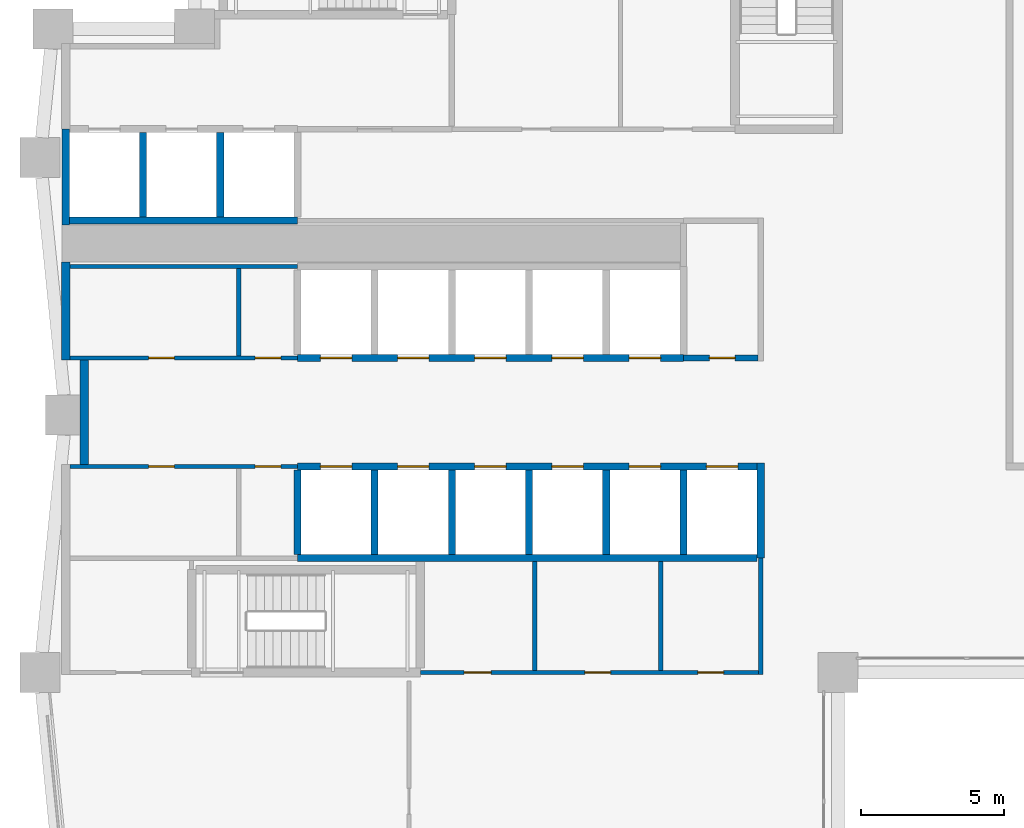
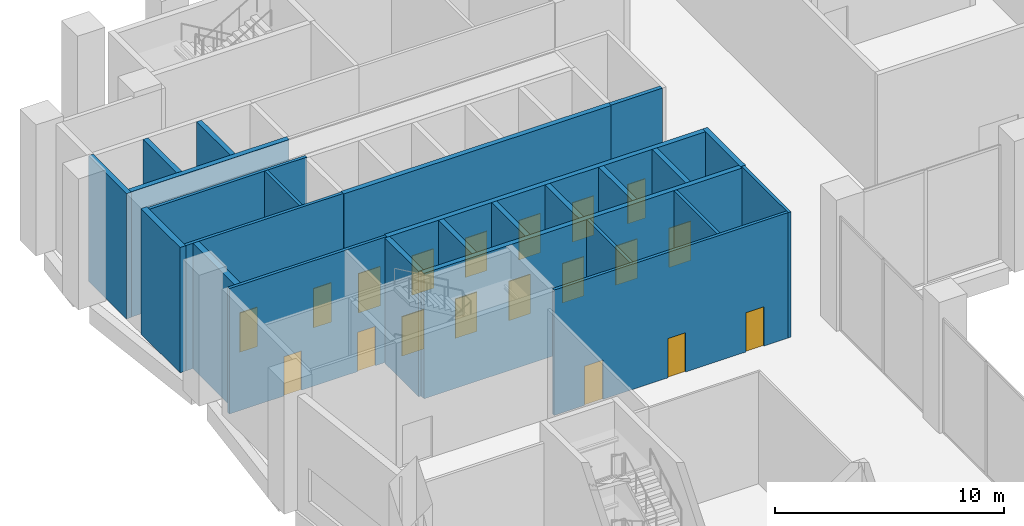
# One storey, part 11 of 18: 25 walls, 19 doors, 19 openings.
"""IFC4 building model written with IfcOpenShell, lengths in metres."""

from ifc_helpers import new_model, si_unit, direction, frame, frame_2d, origin, place, context, subcontext, project, spatial, rectangle, extrude, material, layer, layer_set, type_object, element, fill, save


model = new_model("IFC4")

# Units and contexts
model_context = context("Model", 3, precision=1e-05, world=origin(), true_north=direction((0.0, 1.0)))
body_context = subcontext(model_context, "Body", "Model", "MODEL_VIEW")
ifc_project = project(units=[si_unit("LENGTHUNIT", "METRE"), si_unit("AREAUNIT", "SQUARE_METRE"), si_unit("VOLUMEUNIT", "CUBIC_METRE"), si_unit("PLANEANGLEUNIT", "RADIAN"), si_unit("MASSUNIT", "GRAM", prefix="KILO")], contexts=[model_context])

# Site, building, storey
site_placement = place(None, origin())
site = spatial("IfcSite", under=ifc_project, at=site_placement, CompositionType="ELEMENT")
building_placement = place(site_placement, origin())
building = spatial("IfcBuilding", under=site, at=building_placement, Name="Brondeck Convention Tower", CompositionType="ELEMENT")
storey_placement = place(building_placement, frame((0.0, 0.0, 7.5)))
storey = spatial("IfcBuildingStorey", under=building, at=storey_placement, Name="L01", CompositionType="ELEMENT", Elevation=7.5)

# Wall, openings, doors
ifc_material_1 = material(Name="Concrete C80/95", Category="concrete")
ifc_layer_1 = layer(ifc_material_1, 0.14990234375)
ifc_layer_set_1 = layer_set([ifc_layer_1], Name="Core beam-seat wall 150 Concrete C80/95")
wall_type_1 = type_object("IfcWallType", Name="Core beam-seat wall 150 Concrete C80/95", PredefinedType="SHEAR", material=ifc_layer_set_1)
wall_1_placement = place(storey_placement, frame((12.39990234375, 36.0, 0.0), z_axis=(0.0, 0.0, 1.0), x_axis=(1.0, 0.0, 0.0)))
wall_1 = element("IfcWall", 1, at=wall_1_placement, inside=storey, type_object=wall_type_1, Name="L01 core wall", PredefinedType="SHEAR", context=body_context, shape_type="SweptSolid", body=[
    extrude(rectangle(XDim=11.8251953125, YDim=0.14990234375, at=frame_2d((5.91259765625, 0.0))), origin(), (0.0, 0.0, 1.0), 6.699951171875),
])
opening_1_placement = place(wall_1_placement, frame((1.52490234375, 0.0, 0.0)))
opening_1 = element("IfcOpeningElement", 2, at=opening_1_placement, cuts=wall_1, Name="Opening C03-03", PredefinedType="OPENING", context=body_context, shape_type="SweptSolid", body=[
    extrude(rectangle(XDim=0.949951171875, YDim=2.10009765625, at=frame_2d((0.47509765625, 1.050048828125))), frame((0.0, 0.0849609375, 0.0), z_axis=(0.0, -1.0, 0.0), x_axis=(1.0, 0.0, 0.0)), (0.0, 0.0, 1.0), 0.169921875),
])
opening_2_placement = place(wall_1_placement, frame((5.75, 0.0, 0.0)))
opening_2 = element("IfcOpeningElement", 3, at=opening_2_placement, cuts=wall_1, Name="Opening C03-04", PredefinedType="OPENING", context=body_context, shape_type="SweptSolid", body=[
    extrude(rectangle(XDim=0.89990234375, YDim=2.10009765625, at=frame_2d((0.449951171875, 1.050048828125))), frame((0.0, 0.0849609375, 0.0), z_axis=(0.0, -1.0, 0.0), x_axis=(1.0, 0.0, 0.0)), (0.0, 0.0, 1.0), 0.169921875),
])
opening_3_placement = place(wall_1_placement, frame((9.699951171875, 0.0, 0.0)))
opening_3 = element("IfcOpeningElement", 4, at=opening_3_placement, cuts=wall_1, Name="Opening C03-05", PredefinedType="OPENING", context=body_context, shape_type="SweptSolid", body=[
    extrude(rectangle(XDim=0.89990234375, YDim=2.10009765625, at=frame_2d((0.449951171875, 1.050048828125))), frame((0.0, 0.0849609375, 0.0), z_axis=(0.0, -1.0, 0.0), x_axis=(1.0, 0.0, 0.0)), (0.0, 0.0, 1.0), 0.169921875),
])
ifc_material_2 = material(Name="Steel fire door", Category="steel")
door_type_1 = type_object("IfcDoorType", Name="Room door 900x2100 EI 60", OperationType="NOTDEFINED", PredefinedType="DOOR", material=ifc_material_2)
door_1_placement = place(opening_2_placement, origin())
door_1 = element("IfcDoor", 5, at=door_1_placement, inside=storey, type_object=door_type_1, Name="L01 Room door FR-2", OperationType="SINGLE_SWING_LEFT", OverallHeight=2.10009765625, OverallWidth=0.89990234375, PredefinedType="DOOR", context=body_context, shape_type="SweptSolid", body=[
    extrude(rectangle(XDim=0.89990234375, YDim=2.10009765625, at=frame_2d((0.449951171875, 1.050048828125))), frame((0.0, 0.02490234375, 0.0), z_axis=(0.0, -1.0, 0.0), x_axis=(1.0, 0.0, 0.0)), (0.0, 0.0, 1.0), 0.050048828125),
])
fill(opening_2, door_1)
door_2_placement = place(opening_3_placement, origin())
door_2 = element("IfcDoor", 6, at=door_2_placement, inside=storey, type_object=door_type_1, Name="L01 Room door FR-3", OperationType="SINGLE_SWING_RIGHT", OverallHeight=2.10009765625, OverallWidth=0.89990234375, PredefinedType="DOOR", context=body_context, shape_type="SweptSolid", body=[
    extrude(rectangle(XDim=0.89990234375, YDim=2.10009765625, at=frame_2d((0.449951171875, 1.050048828125))), frame((0.0, 0.02490234375, 0.0), z_axis=(0.0, -1.0, 0.0), x_axis=(1.0, 0.0, 0.0)), (0.0, 0.0, 1.0), 0.050048828125),
])
fill(opening_3, door_2)
door_type_2 = type_object("IfcDoorType", Name="Room door 950x2100 EI 60", OperationType="NOTDEFINED", PredefinedType="DOOR", material=ifc_material_2)
door_3_placement = place(opening_1_placement, origin())
door_3 = element("IfcDoor", 7, at=door_3_placement, inside=storey, type_object=door_type_2, Name="L01 Room door FR-1", OperationType="SINGLE_SWING_RIGHT", OverallHeight=2.10009765625, OverallWidth=0.949951171875, PredefinedType="DOOR", context=body_context, shape_type="SweptSolid", body=[
    extrude(rectangle(XDim=0.949951171875, YDim=2.10009765625, at=frame_2d((0.47509765625, 1.050048828125))), frame((0.0, 0.02490234375, 0.0), z_axis=(0.0, -1.0, 0.0), x_axis=(1.0, 0.0, 0.0)), (0.0, 0.0, 1.0), 0.050048828125),
])
fill(opening_1, door_3)

# Walls
wall_2_placement = place(storey_placement, frame((24.300048828125, 35.925048828125, 0.0), z_axis=(0.0, 0.0, 1.0), x_axis=(0.0, 1.0, 0.0)))
element("IfcWall", 8, at=wall_2_placement, inside=storey, type_object=wall_type_1, Name="L01 core wall", PredefinedType="SHEAR", context=body_context, shape_type="SweptSolid", body=[
    extrude(rectangle(XDim=4.074951171875, YDim=0.14990234375, at=frame_2d((2.03759765625, 0.0))), origin(), (0.0, 0.0, 1.0), 6.699951171875),
])
ifc_layer_2 = layer(ifc_material_1, 0.300048828125)
ifc_layer_set_2 = layer_set([ifc_layer_2], Name="Core outer wall 300 Concrete C80/95")
wall_type_2 = type_object("IfcWallType", Name="Core outer wall 300 Concrete C80/95", PredefinedType="SHEAR", material=ifc_layer_set_2)
wall_3_placement = place(storey_placement, frame((0.0, 46.925048828125, 0.0), z_axis=(0.0, 0.0, 1.0), x_axis=(0.0, 1.0, 0.0)))
element("IfcWall", 9, at=wall_3_placement, inside=storey, type_object=wall_type_2, Name="L01 core wall", PredefinedType="SHEAR", context=body_context, shape_type="SweptSolid", body=[
    extrude(rectangle(XDim=3.425048828125, YDim=0.300048828125, at=frame_2d((1.71240234375, 0.0))), origin(), (0.0, 0.0, 1.0), 6.699951171875),
])
wall_4_placement = place(storey_placement, frame((0.64990234375, 43.27490234375, 0.0), z_axis=(0.0, 0.0, 1.0), x_axis=(0.0, 1.0, 0.0)))
element("IfcWall", 10, at=wall_4_placement, inside=storey, type_object=wall_type_2, Name="L01 core wall", PredefinedType="SHEAR", context=body_context, shape_type="SweptSolid", body=[
    extrude(rectangle(XDim=3.650146484375, YDim=0.300048828125, at=frame_2d((1.8251953125, 0.0))), origin(), (0.0, 0.0, 1.0), 6.699951171875),
])

# Wall, openings, doors
ifc_material_3 = material(Name="Fire-rated gypsum board partition")
ifc_layer_3 = layer(ifc_material_3, 0.14990234375)
ifc_layer_set_3 = layer_set([ifc_layer_3], Name="Core partition 150 EI 60")
wall_type_3 = type_object("IfcWallType", Name="Core partition 150 EI 60", PredefinedType="PARTITIONING", material=ifc_layer_set_3)
wall_5_placement = place(storey_placement, frame((0.14990234375, 43.199951171875, 0.0), z_axis=(0.0, 0.0, 1.0), x_axis=(1.0, 0.0, 0.0)))
wall_5 = element("IfcWall", 11, at=wall_5_placement, inside=storey, type_object=wall_type_3, Name="L01 core wall", PredefinedType="PARTITIONING", context=body_context, shape_type="SweptSolid", body=[
    extrude(rectangle(XDim=7.9501953125, YDim=0.14990234375, at=frame_2d((3.97509765625, 0.0))), origin(), (0.0, 0.0, 1.0), 6.699951171875),
])
opening_4_placement = place(wall_5_placement, frame((2.75, 0.0, 0.0)))
opening_4 = element("IfcOpeningElement", 12, at=opening_4_placement, cuts=wall_5, Name="Opening C03-09", PredefinedType="OPENING", context=body_context, shape_type="SweptSolid", body=[
    extrude(rectangle(XDim=0.89990234375, YDim=2.10009765625, at=frame_2d((0.449951171875, 1.050048828125))), frame((0.0, 0.0849609375, 0.0), z_axis=(0.0, -1.0, 0.0), x_axis=(1.0, 0.0, 0.0)), (0.0, 0.0, 1.0), 0.169921875),
])
opening_5_placement = place(wall_5_placement, frame((6.47509765625, 0.0, 0.0)))
opening_5 = element("IfcOpeningElement", 13, at=opening_5_placement, cuts=wall_5, Name="Opening C03-10", PredefinedType="OPENING", context=body_context, shape_type="SweptSolid", body=[
    extrude(rectangle(XDim=0.89990234375, YDim=2.10009765625, at=frame_2d((0.449951171875, 1.050048828125))), frame((0.0, 0.0849609375, 0.0), z_axis=(0.0, -1.0, 0.0), x_axis=(1.0, 0.0, 0.0)), (0.0, 0.0, 1.0), 0.169921875),
])
door_4_placement = place(opening_4_placement, origin())
door_4 = element("IfcDoor", 14, at=door_4_placement, inside=storey, type_object=door_type_1, Name="L01 Room door FZ-S-0-1", OperationType="SINGLE_SWING_LEFT", OverallHeight=2.10009765625, OverallWidth=0.89990234375, PredefinedType="DOOR", context=body_context, shape_type="SweptSolid", body=[
    extrude(rectangle(XDim=0.89990234375, YDim=2.10009765625, at=frame_2d((0.449951171875, 1.050048828125))), frame((0.0, 0.02490234375, 0.0), z_axis=(0.0, -1.0, 0.0), x_axis=(1.0, 0.0, 0.0)), (0.0, 0.0, 1.0), 0.050048828125),
])
fill(opening_4, door_4)
door_5_placement = place(opening_5_placement, origin())
door_5 = element("IfcDoor", 15, at=door_5_placement, inside=storey, type_object=door_type_1, Name="L01 Room door FZ-S-0-2", OperationType="SINGLE_SWING_RIGHT", OverallHeight=2.10009765625, OverallWidth=0.89990234375, PredefinedType="DOOR", context=body_context, shape_type="SweptSolid", body=[
    extrude(rectangle(XDim=0.89990234375, YDim=2.10009765625, at=frame_2d((0.449951171875, 1.050048828125))), frame((0.0, 0.02490234375, 0.0), z_axis=(0.0, -1.0, 0.0), x_axis=(1.0, 0.0, 0.0)), (0.0, 0.0, 1.0), 0.050048828125),
])
fill(opening_5, door_5)

wall_6_placement = place(storey_placement, frame((0.14990234375, 47.0, 0.0), z_axis=(0.0, 0.0, 1.0), x_axis=(1.0, 0.0, 0.0)))
wall_6 = element("IfcWall", 16, at=wall_6_placement, inside=storey, type_object=wall_type_3, Name="L01 core wall", PredefinedType="PARTITIONING", context=body_context, shape_type="SweptSolid", body=[
    extrude(rectangle(XDim=7.9501953125, YDim=0.14990234375, at=frame_2d((3.97509765625, 0.0))), origin(), (0.0, 0.0, 1.0), 6.699951171875),
])
opening_6_placement = place(wall_6_placement, frame((2.75, 0.0, 0.0)))
opening_6 = element("IfcOpeningElement", 17, at=opening_6_placement, cuts=wall_6, Name="Opening C03-07", PredefinedType="OPENING", context=body_context, shape_type="SweptSolid", body=[
    extrude(rectangle(XDim=0.89990234375, YDim=2.10009765625, at=frame_2d((0.449951171875, 1.050048828125))), frame((0.0, 0.0849609375, 0.0), z_axis=(0.0, -1.0, 0.0), x_axis=(1.0, 0.0, 0.0)), (0.0, 0.0, 1.0), 0.169921875),
])
opening_7_placement = place(wall_6_placement, frame((6.47509765625, 0.0, 0.0)))
opening_7 = element("IfcOpeningElement", 18, at=opening_7_placement, cuts=wall_6, Name="Opening C03-08", PredefinedType="OPENING", context=body_context, shape_type="SweptSolid", body=[
    extrude(rectangle(XDim=0.89990234375, YDim=2.10009765625, at=frame_2d((0.449951171875, 1.050048828125))), frame((0.0, 0.0849609375, 0.0), z_axis=(0.0, -1.0, 0.0), x_axis=(1.0, 0.0, 0.0)), (0.0, 0.0, 1.0), 0.169921875),
])
door_6_placement = place(opening_6_placement, origin())
door_6 = element("IfcDoor", 19, at=door_6_placement, inside=storey, type_object=door_type_1, Name="L01 Room door FZ-N-0-1", OperationType="SINGLE_SWING_RIGHT", OverallHeight=2.10009765625, OverallWidth=0.89990234375, PredefinedType="DOOR", context=body_context, shape_type="SweptSolid", body=[
    extrude(rectangle(XDim=0.89990234375, YDim=2.10009765625, at=frame_2d((0.449951171875, 1.050048828125))), frame((0.0, 0.02490234375, 0.0), z_axis=(0.0, -1.0, 0.0), x_axis=(1.0, 0.0, 0.0)), (0.0, 0.0, 1.0), 0.050048828125),
])
fill(opening_6, door_6)
door_7_placement = place(opening_7_placement, origin())
door_7 = element("IfcDoor", 20, at=door_7_placement, inside=storey, type_object=door_type_1, Name="L01 Room door FZ-N-0-2", OperationType="SINGLE_SWING_LEFT", OverallHeight=2.10009765625, OverallWidth=0.89990234375, PredefinedType="DOOR", context=body_context, shape_type="SweptSolid", body=[
    extrude(rectangle(XDim=0.89990234375, YDim=2.10009765625, at=frame_2d((0.449951171875, 1.050048828125))), frame((0.0, 0.02490234375, 0.0), z_axis=(0.0, -1.0, 0.0), x_axis=(1.0, 0.0, 0.0)), (0.0, 0.0, 1.0), 0.050048828125),
])
fill(opening_7, door_7)

# Walls
wall_7_placement = place(storey_placement, frame((0.14990234375, 50.199951171875, 0.0), z_axis=(0.0, 0.0, 1.0), x_axis=(1.0, 0.0, 0.0)))
element("IfcWall", 21, at=wall_7_placement, inside=storey, type_object=wall_type_3, Name="L01 core wall", PredefinedType="PARTITIONING", context=body_context, shape_type="SweptSolid", body=[
    extrude(rectangle(XDim=7.9501953125, YDim=0.14990234375, at=frame_2d((3.97509765625, 0.0))), origin(), (0.0, 0.0, 1.0), 6.699951171875),
])
wall_8_placement = place(storey_placement, frame((6.050048828125, 47.074951171875, 0.0), z_axis=(0.0, 0.0, 1.0), x_axis=(0.0, 1.0, 0.0)))
element("IfcWall", 22, at=wall_8_placement, inside=storey, type_object=wall_type_3, Name="L01 core wall", PredefinedType="PARTITIONING", context=body_context, shape_type="SweptSolid", body=[
    extrude(rectangle(XDim=3.050048828125, YDim=0.14990234375, at=frame_2d((1.52490234375, 0.0))), origin(), (0.0, 0.0, 1.0), 6.699951171875),
])
for number, where, z_axis, x_axis, name in (
    (23, (16.39990234375, 36.074951171875, 0.0), (0.0, 0.0, 1.0), (0.0, 1.0, 0.0), "L01 core wall"),
    (24, (20.800048828125, 36.074951171875, 0.0), (0.0, 0.0, 1.0), (0.0, 1.0, 0.0), "L01 core wall"),
):
    element("IfcWall", number, at=place(storey_placement, frame(where, z_axis=z_axis, x_axis=x_axis)), inside=storey, type_object=wall_type_3, Name=name, PredefinedType="PARTITIONING", context=body_context, shape_type="SweptSolid", body=[
        extrude(rectangle(XDim=3.800048828125, YDim=0.14990234375, at=frame_2d((1.89990234375, 0.0))), origin(), (0.0, 0.0, 1.0), 6.699951171875),
    ])
ifc_layer_4 = layer(ifc_material_1, 0.25)
ifc_layer_set_4 = layer_set([ifc_layer_4], Name="Lift shaft wall 250 Concrete C80/95")
wall_type_4 = type_object("IfcWallType", Name="Lift shaft wall 250 Concrete C80/95", PredefinedType="SHEAR", material=ifc_layer_set_4)
wall_9_placement = place(storey_placement, frame((8.10009765625, 40.0, 0.0), z_axis=(0.0, 0.0, 1.0), x_axis=(1.0, 0.0, 0.0)))
element("IfcWall", 25, at=wall_9_placement, inside=storey, type_object=wall_type_4, Name="L01 core wall", PredefinedType="SHEAR", context=body_context, shape_type="SweptSolid", body=[
    extrude(rectangle(XDim=16.074951171875, YDim=0.25, at=frame_2d((8.03759765625, 0.0))), origin(), (0.0, 0.0, 1.0), 6.699951171875),
])

# Wall, openings, doors
wall_10_placement = place(storey_placement, frame((8.10009765625, 43.199951171875, 0.0), z_axis=(0.0, 0.0, 1.0), x_axis=(1.0, 0.0, 0.0)))
wall_10 = element("IfcWall", 26, at=wall_10_placement, inside=storey, type_object=wall_type_4, Name="L01 core wall", PredefinedType="SHEAR", context=body_context, shape_type="SweptSolid", body=[
    extrude(rectangle(XDim=16.074951171875, YDim=0.25, at=frame_2d((8.03759765625, 0.0))), origin(), (0.0, 0.0, 1.0), 6.699951171875),
])
opening_8_placement = place(wall_10_placement, frame((14.300048828125, 0.0, 0.0)))
opening_8 = element("IfcOpeningElement", 27, at=opening_8_placement, cuts=wall_10, Name="Opening C03-25", PredefinedType="OPENING", context=body_context, shape_type="SweptSolid", body=[
    extrude(rectangle(XDim=1.10009765625, YDim=2.10009765625, at=frame_2d((0.550048828125, 1.050048828125))), frame((0.0, 0.135009765625, 0.0), z_axis=(0.0, -1.0, 0.0), x_axis=(1.0, 0.0, 0.0)), (0.0, 0.0, 1.0), 0.27001953125),
])
opening_9_placement = place(wall_10_placement, frame((0.800048828125, 0.0, 0.0)))
opening_9 = element("IfcOpeningElement", 28, at=opening_9_placement, cuts=wall_10, Name="Opening C03-26", PredefinedType="OPENING", context=body_context, shape_type="SweptSolid", body=[
    extrude(rectangle(XDim=1.10009765625, YDim=2.10009765625, at=frame_2d((0.550048828125, 1.050048828125))), frame((0.0, 0.135009765625, 0.0), z_axis=(0.0, -1.0, 0.0), x_axis=(1.0, 0.0, 0.0)), (0.0, 0.0, 1.0), 0.27001953125),
])
opening_10_placement = place(wall_10_placement, frame((3.5, 0.0, 0.0)))
opening_10 = element("IfcOpeningElement", 29, at=opening_10_placement, cuts=wall_10, Name="Opening C03-27", PredefinedType="OPENING", context=body_context, shape_type="SweptSolid", body=[
    extrude(rectangle(XDim=1.10009765625, YDim=2.10009765625, at=frame_2d((0.550048828125, 1.050048828125))), frame((0.0, 0.135009765625, 0.0), z_axis=(0.0, -1.0, 0.0), x_axis=(1.0, 0.0, 0.0)), (0.0, 0.0, 1.0), 0.27001953125),
])
opening_11_placement = place(wall_10_placement, frame((6.199951171875, 0.0, 0.0)))
opening_11 = element("IfcOpeningElement", 30, at=opening_11_placement, cuts=wall_10, Name="Opening C03-28", PredefinedType="OPENING", context=body_context, shape_type="SweptSolid", body=[
    extrude(rectangle(XDim=1.10009765625, YDim=2.10009765625, at=frame_2d((0.550048828125, 1.050048828125))), frame((0.0, 0.135009765625, 0.0), z_axis=(0.0, -1.0, 0.0), x_axis=(1.0, 0.0, 0.0)), (0.0, 0.0, 1.0), 0.27001953125),
])
opening_12_placement = place(wall_10_placement, frame((8.89990234375, 0.0, 0.0)))
opening_12 = element("IfcOpeningElement", 31, at=opening_12_placement, cuts=wall_10, Name="Opening C03-34", PredefinedType="OPENING", context=body_context, shape_type="SweptSolid", body=[
    extrude(rectangle(XDim=1.10009765625, YDim=2.10009765625, at=frame_2d((0.550048828125, 1.050048828125))), frame((0.0, 0.135009765625, 0.0), z_axis=(0.0, -1.0, 0.0), x_axis=(1.0, 0.0, 0.0)), (0.0, 0.0, 1.0), 0.27001953125),
])
opening_13_placement = place(wall_10_placement, frame((11.60009765625, 0.0, 0.0)))
opening_13 = element("IfcOpeningElement", 32, at=opening_13_placement, cuts=wall_10, Name="Opening C03-35", PredefinedType="OPENING", context=body_context, shape_type="SweptSolid", body=[
    extrude(rectangle(XDim=1.10009765625, YDim=2.10009765625, at=frame_2d((0.550048828125, 1.050048828125))), frame((0.0, 0.135009765625, 0.0), z_axis=(0.0, -1.0, 0.0), x_axis=(1.0, 0.0, 0.0)), (0.0, 0.0, 1.0), 0.27001953125),
])
ifc_material_4 = material(Name="Stainless steel lift door", Category="steel")
door_type_3 = type_object("IfcDoorType", Name="Lift landing door 1100x2100 EI 180", OperationType="DOUBLE_DOOR_SLIDING", PredefinedType="DOOR", material=ifc_material_4)
door_8_placement = place(opening_8_placement, origin())
door_8 = element("IfcDoor", 33, at=door_8_placement, inside=storey, type_object=door_type_3, Name="L01 Lift landing door HS1", OperationType="DOUBLE_DOOR_SLIDING", OverallHeight=2.10009765625, OverallWidth=1.10009765625, PredefinedType="DOOR", context=body_context, shape_type="SweptSolid", body=[
    extrude(rectangle(XDim=1.10009765625, YDim=2.10009765625, at=frame_2d((0.550048828125, 1.050048828125))), frame((0.0, 0.02490234375, 0.0), z_axis=(0.0, -1.0, 0.0), x_axis=(1.0, 0.0, 0.0)), (0.0, 0.0, 1.0), 0.050048828125),
])
fill(opening_8, door_8)
door_9_placement = place(opening_9_placement, origin())
door_9 = element("IfcDoor", 34, at=door_9_placement, inside=storey, type_object=door_type_3, Name="L01 Lift landing door LR1", OperationType="DOUBLE_DOOR_SLIDING", OverallHeight=2.10009765625, OverallWidth=1.10009765625, PredefinedType="DOOR", context=body_context, shape_type="SweptSolid", body=[
    extrude(rectangle(XDim=1.10009765625, YDim=2.10009765625, at=frame_2d((0.550048828125, 1.050048828125))), frame((0.0, 0.02490234375, 0.0), z_axis=(0.0, -1.0, 0.0), x_axis=(1.0, 0.0, 0.0)), (0.0, 0.0, 1.0), 0.050048828125),
])
fill(opening_9, door_9)
door_10_placement = place(opening_10_placement, origin())
door_10 = element("IfcDoor", 35, at=door_10_placement, inside=storey, type_object=door_type_3, Name="L01 Lift landing door LR2", OperationType="DOUBLE_DOOR_SLIDING", OverallHeight=2.10009765625, OverallWidth=1.10009765625, PredefinedType="DOOR", context=body_context, shape_type="SweptSolid", body=[
    extrude(rectangle(XDim=1.10009765625, YDim=2.10009765625, at=frame_2d((0.550048828125, 1.050048828125))), frame((0.0, 0.02490234375, 0.0), z_axis=(0.0, -1.0, 0.0), x_axis=(1.0, 0.0, 0.0)), (0.0, 0.0, 1.0), 0.050048828125),
])
fill(opening_10, door_10)
door_11_placement = place(opening_11_placement, origin())
door_11 = element("IfcDoor", 36, at=door_11_placement, inside=storey, type_object=door_type_3, Name="L01 Lift landing door LR3", OperationType="DOUBLE_DOOR_SLIDING", OverallHeight=2.10009765625, OverallWidth=1.10009765625, PredefinedType="DOOR", context=body_context, shape_type="SweptSolid", body=[
    extrude(rectangle(XDim=1.10009765625, YDim=2.10009765625, at=frame_2d((0.550048828125, 1.050048828125))), frame((0.0, 0.02490234375, 0.0), z_axis=(0.0, -1.0, 0.0), x_axis=(1.0, 0.0, 0.0)), (0.0, 0.0, 1.0), 0.050048828125),
])
fill(opening_11, door_11)
door_12_placement = place(opening_12_placement, origin())
door_12 = element("IfcDoor", 37, at=door_12_placement, inside=storey, type_object=door_type_3, Name="L01 Lift landing door SH1", OperationType="DOUBLE_DOOR_SLIDING", OverallHeight=2.10009765625, OverallWidth=1.10009765625, PredefinedType="DOOR", context=body_context, shape_type="SweptSolid", body=[
    extrude(rectangle(XDim=1.10009765625, YDim=2.10009765625, at=frame_2d((0.550048828125, 1.050048828125))), frame((0.0, 0.02490234375, 0.0), z_axis=(0.0, -1.0, 0.0), x_axis=(1.0, 0.0, 0.0)), (0.0, 0.0, 1.0), 0.050048828125),
])
fill(opening_12, door_12)
door_13_placement = place(opening_13_placement, origin())
door_13 = element("IfcDoor", 38, at=door_13_placement, inside=storey, type_object=door_type_3, Name="L01 Lift landing door SH2", OperationType="DOUBLE_DOOR_SLIDING", OverallHeight=2.10009765625, OverallWidth=1.10009765625, PredefinedType="DOOR", context=body_context, shape_type="SweptSolid", body=[
    extrude(rectangle(XDim=1.10009765625, YDim=2.10009765625, at=frame_2d((0.550048828125, 1.050048828125))), frame((0.0, 0.02490234375, 0.0), z_axis=(0.0, -1.0, 0.0), x_axis=(1.0, 0.0, 0.0)), (0.0, 0.0, 1.0), 0.050048828125),
])
fill(opening_13, door_13)

wall_11_placement = place(storey_placement, frame((8.10009765625, 47.0, 0.0), z_axis=(0.0, 0.0, 1.0), x_axis=(1.0, 0.0, 0.0)))
wall_11 = element("IfcWall", 39, at=wall_11_placement, inside=storey, type_object=wall_type_4, Name="L01 core wall", PredefinedType="SHEAR", context=body_context, shape_type="SweptSolid", body=[
    extrude(rectangle(XDim=13.5, YDim=0.25, at=frame_2d((6.75, 0.0))), origin(), (0.0, 0.0, 1.0), 6.699951171875),
])
opening_14_placement = place(wall_11_placement, frame((0.800048828125, 0.0, 0.0)))
opening_14 = element("IfcOpeningElement", 40, at=opening_14_placement, cuts=wall_11, Name="Opening C03-29", PredefinedType="OPENING", context=body_context, shape_type="SweptSolid", body=[
    extrude(rectangle(XDim=1.10009765625, YDim=2.10009765625, at=frame_2d((0.550048828125, 1.050048828125))), frame((0.0, 0.135009765625, 0.0), z_axis=(0.0, -1.0, 0.0), x_axis=(1.0, 0.0, 0.0)), (0.0, 0.0, 1.0), 0.27001953125),
])
opening_15_placement = place(wall_11_placement, frame((3.5, 0.0, 0.0)))
opening_15 = element("IfcOpeningElement", 41, at=opening_15_placement, cuts=wall_11, Name="Opening C03-30", PredefinedType="OPENING", context=body_context, shape_type="SweptSolid", body=[
    extrude(rectangle(XDim=1.10009765625, YDim=2.10009765625, at=frame_2d((0.550048828125, 1.050048828125))), frame((0.0, 0.135009765625, 0.0), z_axis=(0.0, -1.0, 0.0), x_axis=(1.0, 0.0, 0.0)), (0.0, 0.0, 1.0), 0.27001953125),
])
opening_16_placement = place(wall_11_placement, frame((6.199951171875, 0.0, 0.0)))
opening_16 = element("IfcOpeningElement", 42, at=opening_16_placement, cuts=wall_11, Name="Opening C03-31", PredefinedType="OPENING", context=body_context, shape_type="SweptSolid", body=[
    extrude(rectangle(XDim=1.10009765625, YDim=2.10009765625, at=frame_2d((0.550048828125, 1.050048828125))), frame((0.0, 0.135009765625, 0.0), z_axis=(0.0, -1.0, 0.0), x_axis=(1.0, 0.0, 0.0)), (0.0, 0.0, 1.0), 0.27001953125),
])
opening_17_placement = place(wall_11_placement, frame((8.89990234375, 0.0, 0.0)))
opening_17 = element("IfcOpeningElement", 43, at=opening_17_placement, cuts=wall_11, Name="Opening C03-32", PredefinedType="OPENING", context=body_context, shape_type="SweptSolid", body=[
    extrude(rectangle(XDim=1.10009765625, YDim=2.10009765625, at=frame_2d((0.550048828125, 1.050048828125))), frame((0.0, 0.135009765625, 0.0), z_axis=(0.0, -1.0, 0.0), x_axis=(1.0, 0.0, 0.0)), (0.0, 0.0, 1.0), 0.27001953125),
])
opening_18_placement = place(wall_11_placement, frame((11.60009765625, 0.0, 0.0)))
opening_18 = element("IfcOpeningElement", 44, at=opening_18_placement, cuts=wall_11, Name="Opening C03-33", PredefinedType="OPENING", context=body_context, shape_type="SweptSolid", body=[
    extrude(rectangle(XDim=1.10009765625, YDim=2.10009765625, at=frame_2d((0.550048828125, 1.050048828125))), frame((0.0, 0.135009765625, 0.0), z_axis=(0.0, -1.0, 0.0), x_axis=(1.0, 0.0, 0.0)), (0.0, 0.0, 1.0), 0.27001953125),
])
door_14_placement = place(opening_14_placement, origin())
door_14 = element("IfcDoor", 45, at=door_14_placement, inside=storey, type_object=door_type_3, Name="L01 Lift landing door LR4", OperationType="DOUBLE_DOOR_SLIDING", OverallHeight=2.10009765625, OverallWidth=1.10009765625, PredefinedType="DOOR", context=body_context, shape_type="SweptSolid", body=[
    extrude(rectangle(XDim=1.10009765625, YDim=2.10009765625, at=frame_2d((0.550048828125, 1.050048828125))), frame((0.0, 0.02490234375, 0.0), z_axis=(0.0, -1.0, 0.0), x_axis=(1.0, 0.0, 0.0)), (0.0, 0.0, 1.0), 0.050048828125),
])
fill(opening_14, door_14)
door_15_placement = place(opening_15_placement, origin())
door_15 = element("IfcDoor", 46, at=door_15_placement, inside=storey, type_object=door_type_3, Name="L01 Lift landing door LR5", OperationType="DOUBLE_DOOR_SLIDING", OverallHeight=2.10009765625, OverallWidth=1.10009765625, PredefinedType="DOOR", context=body_context, shape_type="SweptSolid", body=[
    extrude(rectangle(XDim=1.10009765625, YDim=2.10009765625, at=frame_2d((0.550048828125, 1.050048828125))), frame((0.0, 0.02490234375, 0.0), z_axis=(0.0, -1.0, 0.0), x_axis=(1.0, 0.0, 0.0)), (0.0, 0.0, 1.0), 0.050048828125),
])
fill(opening_15, door_15)
door_16_placement = place(opening_16_placement, origin())
door_16 = element("IfcDoor", 47, at=door_16_placement, inside=storey, type_object=door_type_3, Name="L01 Lift landing door LR6", OperationType="DOUBLE_DOOR_SLIDING", OverallHeight=2.10009765625, OverallWidth=1.10009765625, PredefinedType="DOOR", context=body_context, shape_type="SweptSolid", body=[
    extrude(rectangle(XDim=1.10009765625, YDim=2.10009765625, at=frame_2d((0.550048828125, 1.050048828125))), frame((0.0, 0.02490234375, 0.0), z_axis=(0.0, -1.0, 0.0), x_axis=(1.0, 0.0, 0.0)), (0.0, 0.0, 1.0), 0.050048828125),
])
fill(opening_16, door_16)
door_17_placement = place(opening_17_placement, origin())
door_17 = element("IfcDoor", 48, at=door_17_placement, inside=storey, type_object=door_type_3, Name="L01 Lift landing door PL1", OperationType="DOUBLE_DOOR_SLIDING", OverallHeight=2.10009765625, OverallWidth=1.10009765625, PredefinedType="DOOR", context=body_context, shape_type="SweptSolid", body=[
    extrude(rectangle(XDim=1.10009765625, YDim=2.10009765625, at=frame_2d((0.550048828125, 1.050048828125))), frame((0.0, 0.02490234375, 0.0), z_axis=(0.0, -1.0, 0.0), x_axis=(1.0, 0.0, 0.0)), (0.0, 0.0, 1.0), 0.050048828125),
])
fill(opening_17, door_17)
door_18_placement = place(opening_18_placement, origin())
door_18 = element("IfcDoor", 49, at=door_18_placement, inside=storey, type_object=door_type_3, Name="L01 Lift landing door PL2", OperationType="DOUBLE_DOOR_SLIDING", OverallHeight=2.10009765625, OverallWidth=1.10009765625, PredefinedType="DOOR", context=body_context, shape_type="SweptSolid", body=[
    extrude(rectangle(XDim=1.10009765625, YDim=2.10009765625, at=frame_2d((0.550048828125, 1.050048828125))), frame((0.0, 0.02490234375, 0.0), z_axis=(0.0, -1.0, 0.0), x_axis=(1.0, 0.0, 0.0)), (0.0, 0.0, 1.0), 0.050048828125),
])
fill(opening_18, door_18)

# Walls
wall_12_placement = place(storey_placement, frame((0.125, 51.800048828125, 0.0), z_axis=(0.0, 0.0, 1.0), x_axis=(1.0, 0.0, 0.0)))
element("IfcWall", 50, at=wall_12_placement, inside=storey, type_object=wall_type_4, Name="L01 core wall", PredefinedType="SHEAR", context=body_context, shape_type="SweptSolid", body=[
    extrude(rectangle(XDim=7.97509765625, YDim=0.25, at=frame_2d((3.987548828125, 0.0))), origin(), (0.0, 0.0, 1.0), 6.699951171875),
])
wall_13_placement = place(storey_placement, frame((0.0, 51.64990234375, 0.0), z_axis=(0.0, 0.0, 1.0), x_axis=(0.0, 1.0, 0.0)))
element("IfcWall", 51, at=wall_13_placement, inside=storey, type_object=wall_type_4, Name="L01 core wall", PredefinedType="SHEAR", context=body_context, shape_type="SweptSolid", body=[
    extrude(rectangle(XDim=3.35009765625, YDim=0.25, at=frame_2d((1.675048828125, 0.0))), origin(), (0.0, 0.0, 1.0), 6.699951171875),
])
for number, where, z_axis, x_axis, name in (
    (52, (2.699951171875, 51.925048828125, 0.0), (0.0, 0.0, 1.0), (0.0, 1.0, 0.0), "L01 core wall"),
    (53, (5.39990234375, 51.925048828125, 0.0), (0.0, 0.0, 1.0), (0.0, 1.0, 0.0), "L01 core wall"),
    (54, (8.10009765625, 40.125, 0.0), (0.0, 0.0, 1.0), (0.0, 1.0, 0.0), "L01 core wall"),
    (55, (10.800048828125, 40.125, 0.0), (0.0, 0.0, 1.0), (0.0, 1.0, 0.0), "L01 core wall"),
    (56, (13.5, 40.125, 0.0), (0.0, 0.0, 1.0), (0.0, 1.0, 0.0), "L01 core wall"),
    (57, (16.199951171875, 40.125, 0.0), (0.0, 0.0, 1.0), (0.0, 1.0, 0.0), "L01 core wall"),
    (58, (18.89990234375, 40.125, 0.0), (0.0, 0.0, 1.0), (0.0, 1.0, 0.0), "L01 core wall"),
    (59, (21.60009765625, 40.125, 0.0), (0.0, 0.0, 1.0), (0.0, 1.0, 0.0), "L01 core wall"),
):
    element("IfcWall", number, at=place(storey_placement, frame(where, z_axis=z_axis, x_axis=x_axis)), inside=storey, type_object=wall_type_4, Name=name, PredefinedType="SHEAR", context=body_context, shape_type="SweptSolid", body=[
        extrude(rectangle(XDim=2.949951171875, YDim=0.25, at=frame_2d((1.47509765625, 0.0))), origin(), (0.0, 0.0, 1.0), 6.699951171875),
    ])
wall_14_placement = place(storey_placement, frame((24.300048828125, 40.0, 0.0), z_axis=(0.0, 0.0, 1.0), x_axis=(0.0, 1.0, 0.0)))
element("IfcWall", 60, at=wall_14_placement, inside=storey, type_object=wall_type_4, Name="L01 core wall", PredefinedType="SHEAR", context=body_context, shape_type="SweptSolid", body=[
    extrude(rectangle(XDim=3.324951171875, YDim=0.25, at=frame_2d((1.66259765625, 0.0))), origin(), (0.0, 0.0, 1.0), 6.699951171875),
])

# Wall, opening, door
ifc_layer_5 = layer(ifc_material_3, 0.199951171875)
ifc_layer_set_5 = layer_set([ifc_layer_5], Name="Riser wall 200 EI 120")
wall_type_5 = type_object("IfcWallType", Name="Riser wall 200 EI 120", PredefinedType="PARTITIONING", material=ifc_layer_set_5)
wall_15_placement = place(storey_placement, frame((21.60009765625, 47.0, 0.0), z_axis=(0.0, 0.0, 1.0), x_axis=(1.0, 0.0, 0.0)))
wall_15 = element("IfcWall", 61, at=wall_15_placement, inside=storey, type_object=wall_type_5, Name="L01 core wall", PredefinedType="PARTITIONING", context=body_context, shape_type="SweptSolid", body=[
    extrude(rectangle(XDim=2.599853515625, YDim=0.199951171875, at=frame_2d((1.2998046875, 0.0))), origin(), (0.0, 0.0, 1.0), 6.699951171875),
])
opening_19_placement = place(wall_15_placement, frame((0.89990234375, 0.0, 0.0)))
opening_19 = element("IfcOpeningElement", 62, at=opening_19_placement, cuts=wall_15, Name="Opening C03-02", PredefinedType="OPENING", context=body_context, shape_type="SweptSolid", body=[
    extrude(rectangle(XDim=0.89990234375, YDim=2.10009765625, at=frame_2d((0.449951171875, 1.050048828125))), frame((0.0, 0.10986328125, 0.0), z_axis=(0.0, -1.0, 0.0), x_axis=(1.0, 0.0, 0.0)), (0.0, 0.0, 1.0), 0.219970703125),
])
door_type_4 = type_object("IfcDoorType", Name="Riser door 900x2100 EI 120", OperationType="NOTDEFINED", PredefinedType="DOOR", material=ifc_material_2)
door_19_placement = place(opening_19_placement, origin())
door_19 = element("IfcDoor", 63, at=door_19_placement, inside=storey, type_object=door_type_4, Name="L01 Riser door EN-1", OperationType="SINGLE_SWING_LEFT", OverallHeight=2.10009765625, OverallWidth=0.89990234375, PredefinedType="DOOR", context=body_context, shape_type="SweptSolid", body=[
    extrude(rectangle(XDim=0.89990234375, YDim=2.10009765625, at=frame_2d((0.449951171875, 1.050048828125))), frame((0.0, 0.02490234375, 0.0), z_axis=(0.0, -1.0, 0.0), x_axis=(1.0, 0.0, 0.0)), (0.0, 0.0, 1.0), 0.050048828125),
])
fill(opening_19, door_19)

save(model, "model.ifc")
